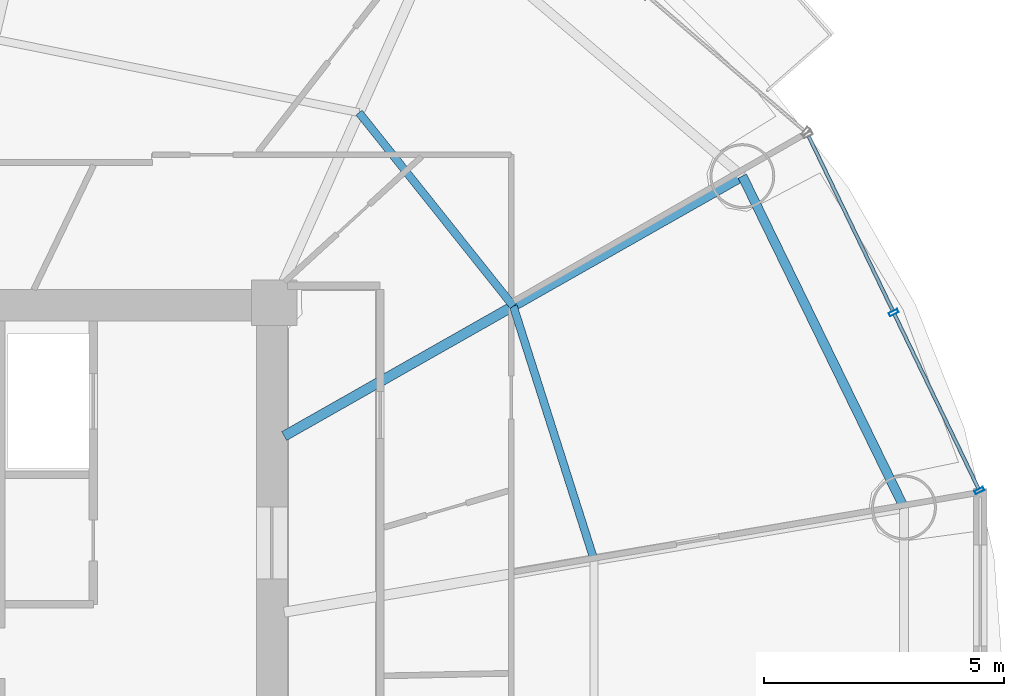
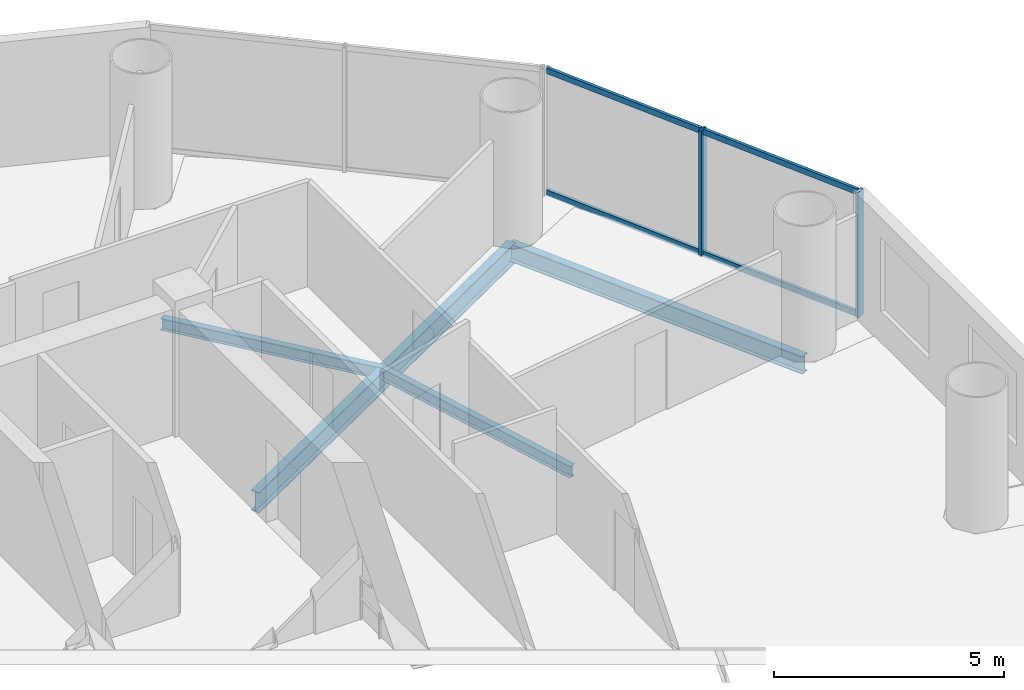
# One storey, part 13 of 27: 6 members, 4 beams, 1 element without a shape of its own.
"""IFC4 building model written with IfcOpenShell, lengths in metres."""

from ifc_helpers import new_model, si_unit, direction, frame, origin, origin_2d, place, context, subcontext, project, spatial, hollow_rectangle, i_section, extrude, source, transform, mapped, material, material_profile, profile_set, type_object, element, aggregate, save


model = new_model("IFC4")

# Units and contexts
model_context = context("Model", 3, precision=1e-05, world=origin(), true_north=direction((-0.2419218956, 0.970295726276)))
body_context = subcontext(model_context, "Body", "Model", "MODEL_VIEW")
ifc_project = project(units=[si_unit("LENGTHUNIT", "METRE"), si_unit("AREAUNIT", "SQUARE_METRE"), si_unit("VOLUMEUNIT", "CUBIC_METRE"), si_unit("PLANEANGLEUNIT", "RADIAN"), si_unit("MASSUNIT", "GRAM", prefix="KILO")], contexts=[model_context])

# Site, building, storey
site_placement = place(None, origin())
site = spatial("IfcSite", under=ifc_project, at=site_placement, CompositionType="ELEMENT")
building_placement = place(site_placement, origin())
building = spatial("IfcBuilding", under=site, at=building_placement, Name="Cobrevalo Terracotta Tower", CompositionType="ELEMENT")
storey_placement = place(building_placement, frame((0.0, 0.0, 149.800048828125)))
storey = spatial("IfcBuildingStorey", under=building, at=storey_placement, Name="L39", CompositionType="ELEMENT", Elevation=149.800048828125)

# Beams
ifc_material_1 = material(Name="Steel S355", Category="steel")
ifc_material_profile_1 = material_profile(ifc_material_1, i_section(OverallWidth=0.2109375, OverallDepth=0.5390625, WebThickness=0.01171875, FlangeThickness=0.018798828125, at=origin_2d()), Name="W 530x109")
ifc_profile_set_1 = profile_set([ifc_material_profile_1], Name="Steel S355")
beam_type_1 = type_object("IfcBeamType", Name="Structural Beam W 530x109 (Steel S355)", PredefinedType="BEAM", material=ifc_profile_set_1)
beam_1_placement = place(storey_placement, frame((56.749755859375, 37.439208984375, -0.53955078125), z_axis=(-0.869734177783, -0.493520475762, 0.0), x_axis=(0.493520475762, -0.869734177783, 0.0)))
element("IfcBeam", 1, at=beam_1_placement, inside=storey, type_object=beam_type_1, Name="L39 radial floor girder 02", PredefinedType="BEAM", context=body_context, shape_type="SweptSolid", body=[
    extrude(i_section(OverallWidth=0.2109375, OverallDepth=0.5390625, WebThickness=0.01171875, FlangeThickness=0.018798828125, at=origin_2d()), origin(), (0.0, 0.0, 1.0), 10.974365234375),
])
ifc_material_profile_2 = material_profile(ifc_material_1, i_section(OverallWidth=0.1650390625, OverallDepth=0.31005859375, WebThickness=0.005859375, FlangeThickness=0.009765625, at=origin_2d()), Name="W 310x38.7")
ifc_profile_set_2 = profile_set([ifc_material_profile_2], Name="Steel S355")
beam_type_2 = type_object("IfcBeamType", Name="Structural Joist W 310x38.7 (Steel S355)", PredefinedType="JOIST", material=ifc_profile_set_2)
beam_2_placement = place(storey_placement, frame((53.660888671875, 29.445556640625, -0.425048828125), z_axis=(-0.303497928386, 0.952832098255, 0.0), x_axis=(-0.952832098255, -0.303497928386, 0.0)))
element("IfcBeam", 2, at=beam_2_placement, inside=storey, type_object=beam_type_2, Name="L39 circumferential secondary floor joist 01", PredefinedType="JOIST", context=body_context, shape_type="SweptSolid", body=[
    extrude(i_section(OverallWidth=0.1650390625, OverallDepth=0.31005859375, WebThickness=0.005859375, FlangeThickness=0.009765625, at=origin_2d()), origin(), (0.0, 0.0, 1.0), 5.54736328125),
])
beam_3_placement = place(storey_placement, frame((51.977294921875, 34.731201171875, -0.425048828125), z_axis=(-0.62340602772, 0.781898282773, 0.0), x_axis=(-0.781898282773, -0.62340602772, 0.0)))
element("IfcBeam", 3, at=beam_3_placement, inside=storey, type_object=beam_type_2, Name="L39 circumferential secondary floor joist 02", PredefinedType="JOIST", context=body_context, shape_type="SweptSolid", body=[
    extrude(i_section(OverallWidth=0.1650390625, OverallDepth=0.31005859375, WebThickness=0.005859375, FlangeThickness=0.009765625, at=origin_2d()), origin(), (0.0, 0.0, 1.0), 5.154052734375),
])
ifc_material_profile_3 = material_profile(ifc_material_1, i_section(OverallWidth=0.194091796875, OverallDepth=0.468994140625, WebThickness=0.011474609375, FlangeThickness=0.0205078125, at=origin_2d()), Name="W 460x106")
ifc_profile_set_3 = profile_set([ifc_material_profile_3], Name="Steel S355")
beam_type_3 = type_object("IfcBeamType", Name="Structural Spandrel W 460x106 (Steel S355)", PredefinedType="SPANDREL", material=ifc_profile_set_3)
beam_4_placement = place(storey_placement, frame((60.11669921875, 30.535888671875, -0.504638671875), z_axis=(-0.438367894028, 0.89879563277, 0.0), x_axis=(-0.89879563277, -0.438367894028, 0.0)))
element("IfcBeam", 4, at=beam_4_placement, inside=storey, type_object=beam_type_3, Name="L39 perimeter ring spandrel 01", PredefinedType="SPANDREL", context=body_context, shape_type="SweptSolid", body=[
    extrude(i_section(OverallWidth=0.194091796875, OverallDepth=0.468994140625, WebThickness=0.011474609375, FlangeThickness=0.0205078125, at=origin_2d()), origin(), (0.0, 0.0, 1.0), 7.6806640625),
])

# Curtain wall, members
ifc_material_2 = material(Name="Anodized aluminium", Category="aluminium")
curtain_wall_type = type_object("IfcCurtainWallType", Name="Mid-tower high-wind unitised curtain wall CW-U2", PredefinedType="NOTDEFINED", material=ifc_material_2)
curtain_wall_placement = place(storey_placement, origin())
curtain_wall = element("IfcCurtainWall", 5, at=curtain_wall_placement, inside=storey, type_object=curtain_wall_type, Name="L39 curtain wall CW-L39-S01", PredefinedType="NOTDEFINED")
ifc_material_profile_4 = material_profile(ifc_material_2, hollow_rectangle(XDim=0.074951171875, YDim=0.14990234375, WallThickness=0.00439453125, at=origin_2d()), Name="CWT 75x150")
ifc_profile_set_4 = profile_set([ifc_material_profile_4], Name="Anodized aluminium")
member_type_1 = type_object("IfcMemberType", Name="Tower unitised aluminium transom 75x150", PredefinedType="USERDEFINED", material=ifc_profile_set_4)
shared_shape_1 = source(origin(), body_context, "Body", "SweptSolid", [
    extrude(hollow_rectangle(XDim=0.074951171875, YDim=0.14990234375, WallThickness=0.00439453125, at=origin_2d()), origin(), (0.0, 0.0, 1.0), 4.035888671875),
])
member_1_placement = place(storey_placement, frame((61.6708984375, 30.924072265625, 0.050048828125), z_axis=(-0.434221176581, 0.900806288726, 0.0), x_axis=(-0.900806288726, -0.434221176581, 0.0)))
member_1 = element("IfcMember", 6, at=member_1_placement, type_object=member_type_1, Name="CW-L39-S01 transom B01-T1", ObjectType="TRANSOM", PredefinedType="USERDEFINED", context=body_context, shape_type="MappedRepresentation", body=[
    mapped(shared_shape_1, transform((0.0, 0.0, 0.0), scale=1.0)),
])
member_2_placement = place(storey_placement, frame((61.6708984375, 30.924072265625, 3.280029296875), z_axis=(-0.434221176581, 0.900806288726, 0.0), x_axis=(-0.900806288726, -0.434221176581, 0.0)))
member_2 = element("IfcMember", 7, at=member_2_placement, type_object=member_type_1, Name="CW-L39-S01 transom B01-T2", ObjectType="TRANSOM", PredefinedType="USERDEFINED", context=body_context, shape_type="MappedRepresentation", body=[
    mapped(shared_shape_1, transform((0.0, 0.0, 0.0), scale=1.0)),
])
member_3_placement = place(storey_placement, frame((59.8837890625, 34.631591796875, 0.050048828125), z_axis=(-0.434221176581, 0.900806288726, 0.0), x_axis=(-0.900806288726, -0.434221176581, 0.0)))
member_3 = element("IfcMember", 8, at=member_3_placement, type_object=member_type_1, Name="CW-L39-S01 transom B02-T1", ObjectType="TRANSOM", PredefinedType="USERDEFINED", context=body_context, shape_type="MappedRepresentation", body=[
    mapped(shared_shape_1, transform((0.0, 0.0, 0.0), scale=1.0)),
])
member_4_placement = place(storey_placement, frame((59.8837890625, 34.631591796875, 3.280029296875), z_axis=(-0.434221176581, 0.900806288726, 0.0), x_axis=(-0.900806288726, -0.434221176581, 0.0)))
member_4 = element("IfcMember", 9, at=member_4_placement, type_object=member_type_1, Name="CW-L39-S01 transom B02-T2", ObjectType="TRANSOM", PredefinedType="USERDEFINED", context=body_context, shape_type="MappedRepresentation", body=[
    mapped(shared_shape_1, transform((0.0, 0.0, 0.0), scale=1.0)),
])
ifc_material_profile_5 = material_profile(ifc_material_2, hollow_rectangle(XDim=0.074951171875, YDim=0.199951171875, WallThickness=0.0048828125, at=origin_2d()), Name="CWM 75x200")
ifc_profile_set_5 = profile_set([ifc_material_profile_5], Name="Anodized aluminium")
member_type_2 = type_object("IfcMemberType", Name="Lower/mid tower unitised mullion 75x200", PredefinedType="MULLION", material=ifc_profile_set_5)
shared_shape_2 = source(origin(), body_context, "Body", "SweptSolid", [
    extrude(hollow_rectangle(XDim=0.074951171875, YDim=0.199951171875, WallThickness=0.0048828125, at=origin_2d()), origin(), (0.0, 0.0, 1.0), 3.329833984375),
])
member_5_placement = place(storey_placement, frame((61.688232421875, 30.887939453125, 0.0), z_axis=(0.0, 0.0, 1.0), x_axis=(-0.434209440271, 0.900811945957, 0.0)))
member_5 = element("IfcMember", 10, at=member_5_placement, type_object=member_type_2, Name="CW-L39-S01 vertical mullion 01", PredefinedType="MULLION", context=body_context, shape_type="MappedRepresentation", body=[
    mapped(shared_shape_2, transform((0.0, 0.0, 0.0), scale=1.0)),
])
member_6_placement = place(storey_placement, frame((59.901123046875, 34.595703125, 0.0), z_axis=(0.0, 0.0, 1.0), x_axis=(-0.434209440271, 0.900811945957, 0.0)))
member_6 = element("IfcMember", 11, at=member_6_placement, type_object=member_type_2, Name="CW-L39-S01 vertical mullion 02", PredefinedType="MULLION", context=body_context, shape_type="MappedRepresentation", body=[
    mapped(shared_shape_2, transform((0.0, 0.0, 0.0), scale=1.0)),
])
aggregate(curtain_wall, [member_5, member_6, member_1, member_2, member_3, member_4])

save(model, "model.ifc")
